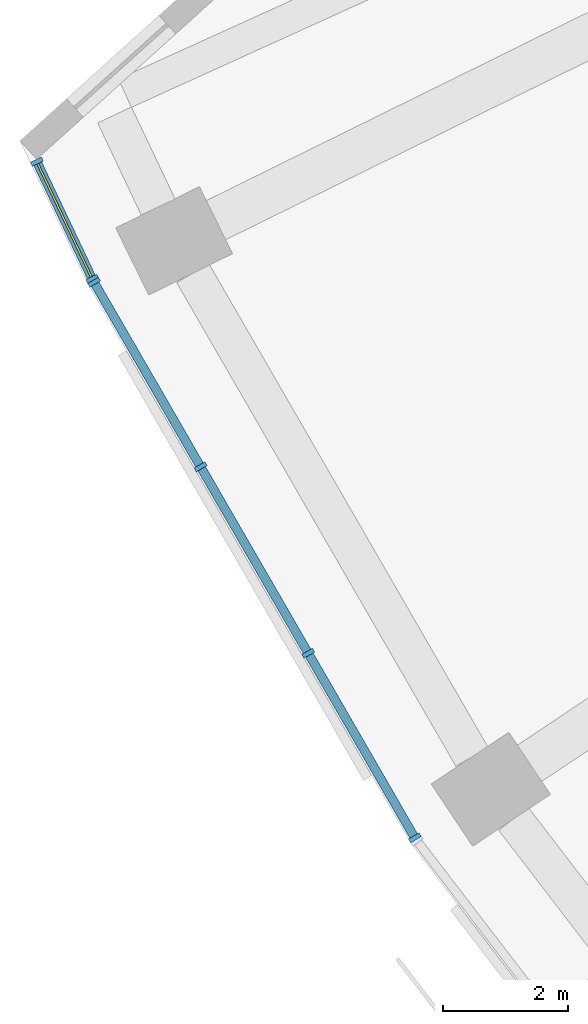
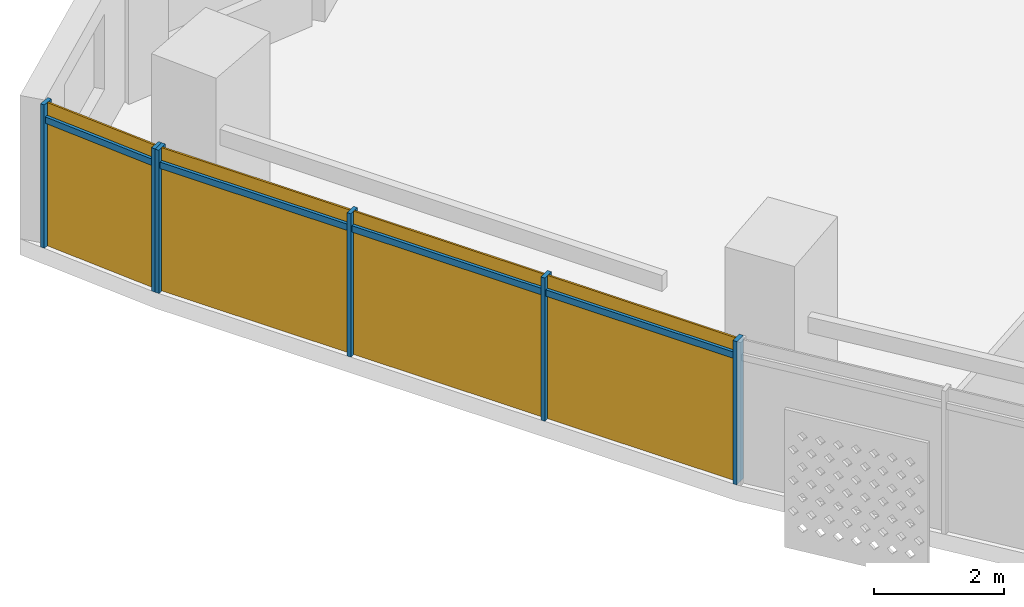
# One storey, part 20 of 29: 10 members, 2 curtain walls.
"""IFC4 building model written with IfcOpenShell, lengths in metres."""

from ifc_helpers import new_model, si_unit, direction, frame, origin, origin_2d, place, context, subcontext, project, spatial, rectangle, extrude, material, material_profile, profile_set, type_object, element, aggregate, save


model = new_model("IFC4")

# Units and contexts
model_context = context("Model", 3, precision=1e-05, world=origin(), true_north=direction((0.0, 1.0)))
body_context = subcontext(model_context, "Body", "Model", "MODEL_VIEW")
ifc_project = project(units=[si_unit("LENGTHUNIT", "METRE"), si_unit("AREAUNIT", "SQUARE_METRE"), si_unit("VOLUMEUNIT", "CUBIC_METRE"), si_unit("PLANEANGLEUNIT", "RADIAN"), si_unit("MASSUNIT", "GRAM", prefix="KILO")], contexts=[model_context])

# Member
ifc_material = material(Name="Aluminium 6063-T6 anodised", Category="aluminium")
ifc_material_profile_1 = material_profile(ifc_material, rectangle(XDim=0.199951171875, YDim=0.070068359375, at=origin_2d()))
ifc_profile_set_1 = profile_set([ifc_material_profile_1], Name="Aluminium 6063-T6 anodised")
member_type_1 = type_object("IfcMemberType", Name="Mullion 70 x 200 aluminium", PredefinedType="MULLION", material=ifc_profile_set_1)
site_placement = place(None, origin())
building_placement = place(site_placement, origin())
storey_placement = place(building_placement, frame((0.0, 0.0, 113.89990234375)))
member_1_placement = place(storey_placement, frame((-71.936767578125, -33.11865234375, 0.0), z_axis=(0.0, 0.0, 1.0), x_axis=(0.903828562499, 0.427894764646, 0.0)))
member_1 = element("IfcMember", 1, at=member_1_placement, type_object=member_type_1, Name="e-cw1-L25-out00/M00", PredefinedType="MULLION", context=body_context, shape_type="SweptSolid", body=[
    extrude(rectangle(XDim=0.199951171875, YDim=0.070068359375, at=origin_2d()), origin(), (0.0, 0.0, 1.0), 2.7001953125),
])

member_2_placement = place(storey_placement, frame((-71.046630859375, -34.9990234375, 0.0), z_axis=(0.0, 0.0, 1.0), x_axis=(0.903828562499, 0.427894764646, 0.0)))
member_2 = element("IfcMember", 2, at=member_2_placement, type_object=member_type_1, Name="e-cw1-L25-out00/M01", PredefinedType="MULLION", context=body_context, shape_type="SweptSolid", body=[
    extrude(rectangle(XDim=0.199951171875, YDim=0.070068359375, at=origin_2d()), origin(), (0.0, 0.0, 1.0), 2.7001953125),
])

member_3_placement = place(storey_placement, frame((-71.017822265625, -35.0537109375, 0.0), z_axis=(0.0, 0.0, 1.0), x_axis=(0.866025403784, 0.5, 0.0)))
member_3 = element("IfcMember", 3, at=member_3_placement, type_object=member_type_1, Name="e-cw1-L25-out01/M00", PredefinedType="MULLION", context=body_context, shape_type="SweptSolid", body=[
    extrude(rectangle(XDim=0.199951171875, YDim=0.070068359375, at=origin_2d()), origin(), (0.0, 0.0, 1.0), 2.7001953125),
])

member_4_placement = place(storey_placement, frame((-69.306640625, -38.017822265625, 0.0), z_axis=(0.0, 0.0, 1.0), x_axis=(0.866025403784, 0.5, 0.0)))
member_4 = element("IfcMember", 4, at=member_4_placement, type_object=member_type_1, Name="e-cw1-L25-out01/M01", PredefinedType="MULLION", context=body_context, shape_type="SweptSolid", body=[
    extrude(rectangle(XDim=0.199951171875, YDim=0.070068359375, at=origin_2d()), origin(), (0.0, 0.0, 1.0), 2.7001953125),
])

member_5_placement = place(storey_placement, frame((-67.577880859375, -41.01220703125, 0.0), z_axis=(0.0, 0.0, 1.0), x_axis=(0.866025403784, 0.5, 0.0)))
member_5 = element("IfcMember", 5, at=member_5_placement, type_object=member_type_1, Name="e-cw1-L25-out01/M02", PredefinedType="MULLION", context=body_context, shape_type="SweptSolid", body=[
    extrude(rectangle(XDim=0.199951171875, YDim=0.070068359375, at=origin_2d()), origin(), (0.0, 0.0, 1.0), 2.7001953125),
])

member_6_placement = place(storey_placement, frame((-65.866455078125, -43.976318359375, 0.0), z_axis=(0.0, 0.0, 1.0), x_axis=(0.866025403784, 0.5, 0.0)))
member_6 = element("IfcMember", 6, at=member_6_placement, type_object=member_type_1, Name="e-cw1-L25-out01/M03", PredefinedType="MULLION", context=body_context, shape_type="SweptSolid", body=[
    extrude(rectangle(XDim=0.199951171875, YDim=0.070068359375, at=origin_2d()), origin(), (0.0, 0.0, 1.0), 2.7001953125),
])

ifc_material_profile_2 = material_profile(ifc_material, rectangle(XDim=0.139892578125, YDim=0.1201171875, at=origin_2d()))
ifc_profile_set_2 = profile_set([ifc_material_profile_2], Name="Aluminium 6063-T6 anodised")
member_type_2 = type_object("IfcMemberType", Name="Transom 120 x 140 aluminium", PredefinedType="USERDEFINED", material=ifc_profile_set_2)
member_7_placement = place(storey_placement, frame((-71.921875, -33.150390625, 2.400146484375), z_axis=(0.42792452082, -0.903814474592, 0.0), x_axis=(0.903814474592, 0.42792452082, 0.0)))
member_7 = element("IfcMember", 7, at=member_7_placement, type_object=member_type_2, Name="e-cw1-L25-out00/T00", ObjectType="TRANSOM", PredefinedType="USERDEFINED", context=body_context, shape_type="SweptSolid", body=[
    extrude(rectangle(XDim=0.139892578125, YDim=0.1201171875, at=origin_2d()), origin(), (0.0, 0.0, 1.0), 2.010498046875),
])

member_8_placement = place(storey_placement, frame((-71.00048828125, -35.084228515625, 2.400146484375), z_axis=(0.50006283963, -0.865989120267, 0.0), x_axis=(0.865989120267, 0.50006283963, 0.0)))
member_8 = element("IfcMember", 8, at=member_8_placement, type_object=member_type_2, Name="e-cw1-L25-out01/T00", ObjectType="TRANSOM", PredefinedType="USERDEFINED", context=body_context, shape_type="SweptSolid", body=[
    extrude(rectangle(XDim=0.139892578125, YDim=0.1201171875, at=origin_2d()), origin(), (0.0, 0.0, 1.0), 3.3525390625),
])

member_9_placement = place(storey_placement, frame((-69.2890625, -38.048095703125, 2.400146484375), z_axis=(0.499999017107, -0.866025971257, 0.0), x_axis=(0.866025971257, 0.499999017107, 0.0)))
member_9 = element("IfcMember", 9, at=member_9_placement, type_object=member_type_2, Name="e-cw1-L25-out01/T01", ObjectType="TRANSOM", PredefinedType="USERDEFINED", context=body_context, shape_type="SweptSolid", body=[
    extrude(rectangle(XDim=0.139892578125, YDim=0.1201171875, at=origin_2d()), origin(), (0.0, 0.0, 1.0), 3.3876953125),
])

member_10_placement = place(storey_placement, frame((-67.560302734375, -41.042724609375, 2.400146484375), z_axis=(0.50000822536, -0.866020654818, 0.0), x_axis=(0.866020654818, 0.50000822536, 0.0)))
member_10 = element("IfcMember", 10, at=member_10_placement, type_object=member_type_2, Name="e-cw1-L25-out01/T02", ObjectType="TRANSOM", PredefinedType="USERDEFINED", context=body_context, shape_type="SweptSolid", body=[
    extrude(rectangle(XDim=0.139892578125, YDim=0.1201171875, at=origin_2d()), origin(), (0.0, 0.0, 1.0), 3.3525390625),
])

# Site, building, storey
site = spatial("IfcSite", under=ifc_project, at=site_placement, CompositionType="ELEMENT")
building = spatial("IfcBuilding", under=site, at=building_placement, Name="Qamariyya Broadcast Tower", CompositionType="ELEMENT")
storey = spatial("IfcBuildingStorey", under=building, at=storey_placement, Name="L25", CompositionType="ELEMENT", Elevation=113.89990234375)

# Curtain wall
curtain_wall_type = type_object("IfcCurtainWallType", Name="Unitised curtain wall, anodised aluminium", PredefinedType="NOTDEFINED", material=ifc_material)
curtain_wall_1_placement = place(storey_placement, origin())
curtain_wall_1 = element("IfcCurtainWall", 11, at=curtain_wall_1_placement, inside=storey, type_object=curtain_wall_type, Name="e-cw1-L25-out00", PredefinedType="NOTDEFINED", context=body_context, shape_type="SweptSolid", body=[
    extrude(rectangle(XDim=2.01025390625, YDim=0.031982421875, at=origin_2d()), frame((-71.49169921875, -34.05908203125, 0.0), x_axis=(0.427808132654, -0.903869571141, 0.0)), (0.0, 0.0, 1.0), 2.340087890625),
    extrude(rectangle(XDim=2.01025390625, YDim=0.031982421875, at=origin_2d()), frame((-71.49169921875, -34.05908203125, 2.460205078125), x_axis=(0.427808132654, -0.903869571141, 0.0)), (0.0, 0.0, 1.0), 0.239990234375),
])

aggregate(curtain_wall_1, [member_1, member_2, member_7])

curtain_wall_2_placement = place(storey_placement, origin())
curtain_wall_2 = element("IfcCurtainWall", 12, at=curtain_wall_2_placement, inside=storey, type_object=curtain_wall_type, Name="e-cw1-L25-out01", PredefinedType="NOTDEFINED", context=body_context, shape_type="SweptSolid", body=[
    extrude(rectangle(XDim=3.352783203125, YDim=0.031982421875, at=origin_2d()), frame((-70.162109375, -36.535888671875, 0.0), x_axis=(0.499996813733, -0.866027243369, 0.0)), (0.0, 0.0, 1.0), 2.340087890625),
    extrude(rectangle(XDim=3.352783203125, YDim=0.031982421875, at=origin_2d()), frame((-70.162109375, -36.535888671875, 2.460205078125), x_axis=(0.499996813733, -0.866027243369, 0.0)), (0.0, 0.0, 1.0), 0.239990234375),
    extrude(rectangle(XDim=3.3876953125, YDim=0.031982421875, at=origin_2d()), frame((-68.442138671875, -39.51513671875, 0.0), x_axis=(0.499996813733, -0.866027243369, 0.0)), (0.0, 0.0, 1.0), 2.340087890625),
    extrude(rectangle(XDim=3.3876953125, YDim=0.031982421875, at=origin_2d()), frame((-68.442138671875, -39.51513671875, 2.460205078125), x_axis=(0.499996813733, -0.866027243369, 0.0)), (0.0, 0.0, 1.0), 0.239990234375),
    extrude(rectangle(XDim=3.352783203125, YDim=0.031982421875, at=origin_2d()), frame((-66.72216796875, -42.494384765625, 0.0), x_axis=(0.499996813733, -0.866027243369, 0.0)), (0.0, 0.0, 1.0), 2.340087890625),
    extrude(rectangle(XDim=3.352783203125, YDim=0.031982421875, at=origin_2d()), frame((-66.72216796875, -42.494384765625, 2.460205078125), x_axis=(0.499996813733, -0.866027243369, 0.0)), (0.0, 0.0, 1.0), 0.239990234375),
])

aggregate(curtain_wall_2, [member_3, member_4, member_5, member_6, member_8, member_9, member_10])

save(model, "model.ifc")
